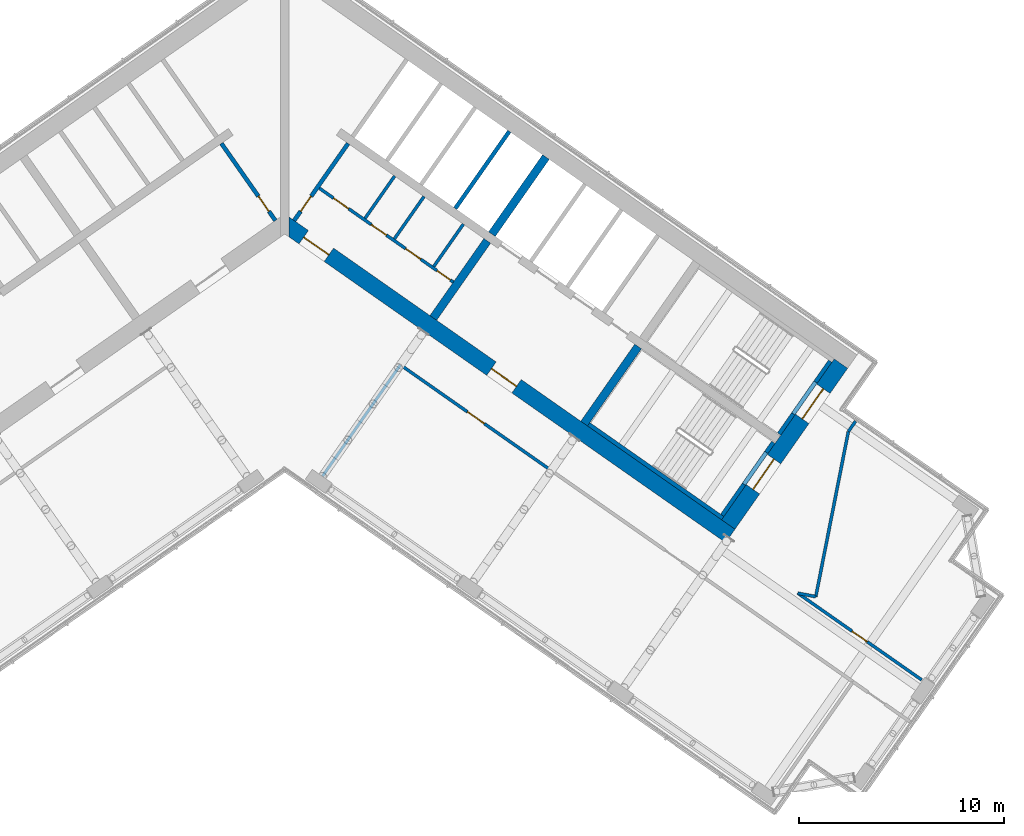
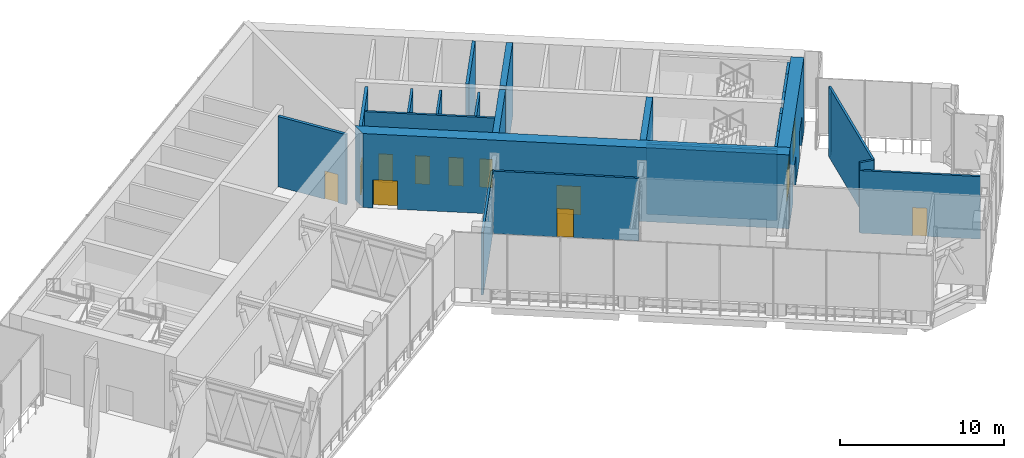
# One storey, part 5 of 19: 25 walls, 12 doors, 12 openings.
"""IFC4 building model written with IfcOpenShell, lengths in metres."""

from ifc_helpers import new_model, si_unit, direction, frame, frame_2d, origin, place, context, subcontext, project, spatial, polyline, rectangle, outline, extrude, material, layer, layer_set, type_object, element, fill, save


model = new_model("IFC4")

# Units and contexts
model_context = context("Model", 3, precision=1e-05, world=origin(), true_north=direction((0.0, 1.0)))
body_context = subcontext(model_context, "Body", "Model", "MODEL_VIEW")
ifc_project = project(units=[si_unit("LENGTHUNIT", "METRE"), si_unit("AREAUNIT", "SQUARE_METRE"), si_unit("VOLUMEUNIT", "CUBIC_METRE"), si_unit("PLANEANGLEUNIT", "RADIAN"), si_unit("MASSUNIT", "GRAM", prefix="KILO")], contexts=[model_context])

# Site, building, storey
site_placement = place(None, origin())
site = spatial("IfcSite", under=ifc_project, at=site_placement, CompositionType="ELEMENT")
building_placement = place(site_placement, origin())
building = spatial("IfcBuilding", under=site, at=building_placement, Name="Tel Ilan Convention Tower", CompositionType="ELEMENT")
storey_placement = place(building_placement, frame((0.0, 0.0, 213.89990234375)))
storey = spatial("IfcBuildingStorey", under=building, at=storey_placement, Name="L50", CompositionType="ELEMENT", Elevation=213.89990234375)

# Wall, openings, doors
ifc_material_1 = material(Name="Gypsum Plasterboard on Steel Stud", Category="steel")
ifc_layer_1 = layer(ifc_material_1, 0.14990234375)
ifc_layer_set_1 = layer_set([ifc_layer_1], Name="Core Room Partition Wall 150 mm EI 60")
wall_type_1 = type_object("IfcWallType", Name="Core Room Partition Wall 150 mm EI 60", PredefinedType="PARTITIONING", material=ifc_layer_set_1)
wall_1_placement = place(storey_placement, frame((1.687744140625, 1.015625, 0.0), z_axis=(0.0, 0.0, 1.0), x_axis=(0.819151624752, -0.573577035512, 0.0)))
wall_1 = element("IfcWall", 1, at=wall_1_placement, inside=storey, type_object=wall_type_1, Name="L50 core wall wc-h1", PredefinedType="PARTITIONING", context=body_context, shape_type="SweptSolid", body=[
    extrude(rectangle(XDim=8.0, YDim=0.14990234375, at=frame_2d((4.0, 0.0))), origin(), (0.0, 0.0, 1.0), 5.22021484375),
])
opening_1_placement = place(wall_1_placement, frame((0.85009765625, 0.0, 0.0)))
opening_1 = element("IfcOpeningElement", 2, at=opening_1_placement, cuts=wall_1, Name="Opening CD3913", PredefinedType="OPENING", context=body_context, shape_type="SweptSolid", body=[
    extrude(rectangle(XDim=0.89990234375, YDim=2.10009765625, at=frame_2d((0.449951171875, 1.050048828125))), frame((0.0, 0.0849609375, 0.0), z_axis=(0.0, -1.0, 0.0), x_axis=(1.0, 0.0, 0.0)), (0.0, 0.0, 1.0), 0.169921875),
])
opening_2_placement = place(wall_1_placement, frame((3.10009765625, 0.0, 0.0)))
opening_2 = element("IfcOpeningElement", 3, at=opening_2_placement, cuts=wall_1, Name="Opening CD3910", PredefinedType="OPENING", context=body_context, shape_type="SweptSolid", body=[
    extrude(rectangle(XDim=0.89990234375, YDim=2.10009765625, at=frame_2d((0.449951171875, 1.050048828125))), frame((0.0, 0.0849609375, 0.0), z_axis=(0.0, -1.0, 0.0), x_axis=(1.0, 0.0, 0.0)), (0.0, 0.0, 1.0), 0.169921875),
])
opening_3_placement = place(wall_1_placement, frame((5.14990234375, 0.0, 0.0)))
opening_3 = element("IfcOpeningElement", 4, at=opening_3_placement, cuts=wall_1, Name="Opening CD3912", PredefinedType="OPENING", context=body_context, shape_type="SweptSolid", body=[
    extrude(rectangle(XDim=0.89990234375, YDim=2.10009765625, at=frame_2d((0.449951171875, 1.050048828125))), frame((0.0, 0.0849609375, 0.0), z_axis=(0.0, -1.0, 0.0), x_axis=(1.0, 0.0, 0.0)), (0.0, 0.0, 1.0), 0.169921875),
])
opening_4_placement = place(wall_1_placement, frame((7.02490234375, 0.0, 0.0)))
opening_4 = element("IfcOpeningElement", 5, at=opening_4_placement, cuts=wall_1, Name="Opening CD3911", PredefinedType="OPENING", context=body_context, shape_type="SweptSolid", body=[
    extrude(rectangle(XDim=0.800048828125, YDim=2.10009765625, at=frame_2d((0.39990234375, 1.050048828125))), frame((0.0, 0.0849609375, 0.0), z_axis=(0.0, -1.0, 0.0), x_axis=(1.0, 0.0, 0.0)), (0.0, 0.0, 1.0), 0.169921875),
])
ifc_material_2 = material(Name="Galvanised Steel Door Leaf", Category="steel")
door_type_1 = type_object("IfcDoorType", Name="Store Door 800 x 2100 FD60", OperationType="NOTDEFINED", PredefinedType="DOOR", material=ifc_material_2)
door_1_placement = place(opening_4_placement, origin())
door_1 = element("IfcDoor", 6, at=door_1_placement, inside=storey, type_object=door_type_1, Name="Cleaner's store door", OperationType="SINGLE_SWING_RIGHT", OverallHeight=2.10009765625, OverallWidth=0.800048828125, PredefinedType="DOOR", context=body_context, shape_type="SweptSolid", body=[
    extrude(rectangle(XDim=0.800048828125, YDim=2.10009765625, at=frame_2d((0.39990234375, 1.050048828125))), frame((0.0, 0.02490234375, 0.0), z_axis=(0.0, -1.0, 0.0), x_axis=(1.0, 0.0, 0.0)), (0.0, 0.0, 1.0), 0.050048828125),
])
fill(opening_4, door_1)
ifc_material_3 = material(Name="Laminated Timber Door Leaf", Category="wood")
door_type_2 = type_object("IfcDoorType", Name="Toilet Door 900 x 2100 FD30S", OperationType="NOTDEFINED", PredefinedType="DOOR", material=ifc_material_3)
door_2_placement = place(opening_1_placement, origin())
door_2 = element("IfcDoor", 7, at=door_2_placement, inside=storey, type_object=door_type_2, Name="Women's WC door", OperationType="SINGLE_SWING_RIGHT", OverallHeight=2.10009765625, OverallWidth=0.89990234375, PredefinedType="DOOR", context=body_context, shape_type="SweptSolid", body=[
    extrude(rectangle(XDim=0.89990234375, YDim=2.10009765625, at=frame_2d((0.449951171875, 1.050048828125))), frame((0.0, 0.02490234375, 0.0), z_axis=(0.0, -1.0, 0.0), x_axis=(1.0, 0.0, 0.0)), (0.0, 0.0, 1.0), 0.050048828125),
])
fill(opening_1, door_2)
door_3_placement = place(opening_2_placement, origin())
door_3 = element("IfcDoor", 8, at=door_3_placement, inside=storey, type_object=door_type_2, Name="Accessible WC door", OperationType="SINGLE_SWING_RIGHT", OverallHeight=2.10009765625, OverallWidth=0.89990234375, PredefinedType="DOOR", context=body_context, shape_type="SweptSolid", body=[
    extrude(rectangle(XDim=0.89990234375, YDim=2.10009765625, at=frame_2d((0.449951171875, 1.050048828125))), frame((0.0, 0.02490234375, 0.0), z_axis=(0.0, -1.0, 0.0), x_axis=(1.0, 0.0, 0.0)), (0.0, 0.0, 1.0), 0.050048828125),
])
fill(opening_2, door_3)
door_4_placement = place(opening_3_placement, origin())
door_4 = element("IfcDoor", 9, at=door_4_placement, inside=storey, type_object=door_type_2, Name="Men's WC door", OperationType="SINGLE_SWING_RIGHT", OverallHeight=2.10009765625, OverallWidth=0.89990234375, PredefinedType="DOOR", context=body_context, shape_type="SweptSolid", body=[
    extrude(rectangle(XDim=0.89990234375, YDim=2.10009765625, at=frame_2d((0.449951171875, 1.050048828125))), frame((0.0, 0.02490234375, 0.0), z_axis=(0.0, -1.0, 0.0), x_axis=(1.0, 0.0, 0.0)), (0.0, 0.0, 1.0), 0.050048828125),
])
fill(opening_3, door_4)

# Walls
for number, where, z_axis, x_axis, name in (
    (10, (3.922119140625, -0.457275390625, 0.0), (0.0, 0.0, 1.0), (0.573566168143, 0.81915923407, 0.0), "L50 core wall wc-v0"),
    (11, (5.35546875, -1.4609375, 0.0), (0.0, 0.0, 1.0), (0.573566168143, 0.81915923407, 0.0), "L50 core wall wc-v1"),
    (12, (7.280517578125, -2.808837890625, 0.0), (0.0, 0.0, 1.0), (0.573566168143, 0.81915923407, 0.0), "L50 core wall wc-v2"),
):
    element("IfcWall", number, at=place(storey_placement, frame(where, z_axis=z_axis, x_axis=x_axis)), inside=storey, type_object=wall_type_1, Name=name, PredefinedType="PARTITIONING", context=body_context, shape_type="SweptSolid", body=[
        extrude(rectangle(XDim=2.52490234375, YDim=0.14990234375, at=frame_2d((1.262451171875, 0.0))), origin(), (0.0, 0.0, 1.0), 5.22021484375),
    ])

# Wall, opening, door
ifc_material_4 = material(Name="Concrete C30/37", Category="concrete")
ifc_layer_2 = layer(ifc_material_4, 0.199951171875)
ifc_layer_set_2 = layer_set([ifc_layer_2], Name="Core Service Room Wall 200 mm C30/37")
wall_type_2 = type_object("IfcWallType", Name="Core Service Room Wall 200 mm C30/37", PredefinedType="SOLIDWALL", material=ifc_layer_set_2)
wall_2_placement = place(storey_placement, frame((-0.458740234375, -0.565185546875, 0.0), z_axis=(0.0, 0.0, 1.0), x_axis=(-0.573576324356, 0.819152122709, 0.0)))
wall_2 = element("IfcWall", 13, at=wall_2_placement, inside=storey, type_object=wall_type_2, Name="L50 core wall apex-W", PredefinedType="SOLIDWALL", context=body_context, shape_type="SweptSolid", body=[
    extrude(rectangle(XDim=4.599853515625, YDim=0.199951171875, at=frame_2d((2.2998046875, 0.0))), origin(), (0.0, 0.0, 1.0), 5.22021484375),
])
opening_5_placement = place(wall_2_placement, frame((0.550048828125, 0.0, 0.0)))
opening_5 = element("IfcOpeningElement", 14, at=opening_5_placement, cuts=wall_2, Name="Opening CD3902", PredefinedType="OPENING", context=body_context, shape_type="SweptSolid", body=[
    extrude(rectangle(XDim=0.89990234375, YDim=2.10009765625, at=frame_2d((0.449951171875, 1.050048828125))), frame((0.0, 0.10986328125, 0.0), z_axis=(0.0, -1.0, 0.0), x_axis=(1.0, 0.0, 0.0)), (0.0, 0.0, 1.0), 0.219970703125),
])
ifc_material_5 = material(Name="Galvanised Steel Door Leaf", Category="steel")
door_type_3 = type_object("IfcDoorType", Name="Service Room Door 900 x 2100 FD60", OperationType="NOTDEFINED", PredefinedType="DOOR", material=ifc_material_5)
door_5_placement = place(opening_5_placement, origin())
door_5 = element("IfcDoor", 15, at=door_5_placement, inside=storey, type_object=door_type_3, Name="Telecom Room door", OperationType="SINGLE_SWING_RIGHT", OverallHeight=2.10009765625, OverallWidth=0.89990234375, PredefinedType="DOOR", context=body_context, shape_type="SweptSolid", body=[
    extrude(rectangle(XDim=0.89990234375, YDim=2.10009765625, at=frame_2d((0.449951171875, 1.050048828125))), frame((0.0, 0.02490234375, 0.0), z_axis=(0.0, -1.0, 0.0), x_axis=(1.0, 0.0, 0.0)), (0.0, 0.0, 1.0), 0.050048828125),
])
fill(opening_5, door_5)

wall_3_placement = place(storey_placement, frame((0.458740234375, -0.565185546875, 0.0), z_axis=(0.0, 0.0, 1.0), x_axis=(0.573576324356, 0.819152122709, 0.0)))
wall_3 = element("IfcWall", 16, at=wall_3_placement, inside=storey, type_object=wall_type_2, Name="L50 core wall apex-E", PredefinedType="SOLIDWALL", context=body_context, shape_type="SweptSolid", body=[
    extrude(rectangle(XDim=4.599853515625, YDim=0.199951171875, at=frame_2d((2.2998046875, 0.0))), origin(), (0.0, 0.0, 1.0), 5.22021484375),
])
opening_6_placement = place(wall_3_placement, frame((0.550048828125, 0.0, 0.0)))
opening_6 = element("IfcOpeningElement", 17, at=opening_6_placement, cuts=wall_3, Name="Opening CD3901", PredefinedType="OPENING", context=body_context, shape_type="SweptSolid", body=[
    extrude(rectangle(XDim=0.89990234375, YDim=2.10009765625, at=frame_2d((0.449951171875, 1.050048828125))), frame((0.0, 0.10986328125, 0.0), z_axis=(0.0, -1.0, 0.0), x_axis=(1.0, 0.0, 0.0)), (0.0, 0.0, 1.0), 0.219970703125),
])
door_6_placement = place(opening_6_placement, origin())
door_6 = element("IfcDoor", 18, at=door_6_placement, inside=storey, type_object=door_type_3, Name="Data Room door", OperationType="SINGLE_SWING_RIGHT", OverallHeight=2.10009765625, OverallWidth=0.89990234375, PredefinedType="DOOR", context=body_context, shape_type="SweptSolid", body=[
    extrude(rectangle(XDim=0.89990234375, YDim=2.10009765625, at=frame_2d((0.449951171875, 1.050048828125))), frame((0.0, 0.02490234375, 0.0), z_axis=(0.0, -1.0, 0.0), x_axis=(1.0, 0.0, 0.0)), (0.0, 0.0, 1.0), 0.050048828125),
])
fill(opening_6, door_6)

# Walls
ifc_material_6 = material(Name="Concrete C50/60", Category="concrete")
ifc_layer_3 = layer(ifc_material_6, 0.39990234375)
ifc_layer_set_3 = layer_set([ifc_layer_3], Name="Core Shear Wall 400 mm C50/60")
wall_type_3 = type_object("IfcWallType", Name="Core Shear Wall 400 mm C50/60", PredefinedType="SHEAR", material=ifc_layer_set_3)
wall_4_placement = place(storey_placement, frame((7.2578125, -5.325927734375, 0.0), z_axis=(0.0, 0.0, 1.0), x_axis=(0.573540709186, 0.819177059558, 0.0)))
element("IfcWall", 19, at=wall_4_placement, inside=storey, type_object=wall_type_3, Name="L50 core wall E-cross1-1", PredefinedType="SHEAR", context=body_context, shape_type="SweptSolid", body=[
    extrude(outline(polyline([(-0.000244140625, 0.2001953125), (-0.000244140625, -0.199951171875), (4.599853515625, -0.2001953125), (4.599853515625, 0.199951171875), (-0.000244140625, 0.2001953125)])), origin(), (0.0, 0.0, 1.0), 5.5),
])
wall_5_placement = place(storey_placement, frame((10.12548828125, -1.230224609375, 0.0), z_axis=(0.0, 0.0, 1.0), x_axis=(0.573576324356, 0.819152122709, 0.0)))
element("IfcWall", 20, at=wall_5_placement, inside=storey, type_object=wall_type_3, Name="L50 core wall E-cross1-2", PredefinedType="SHEAR", context=body_context, shape_type="SweptSolid", body=[
    extrude(outline(polyline([(4.599853515625, -0.199951171875), (4.60009765625, 0.199951171875), (0.0, 0.199951171875), (0.0, -0.2001953125), (4.599853515625, -0.199951171875)])), origin(), (0.0, 0.0, 1.0), 5.5),
])
wall_6_placement = place(storey_placement, frame((14.6298828125, -10.48828125, 0.0), z_axis=(0.0, 0.0, 1.0), x_axis=(0.573611936273, 0.819127185829, 0.0)))
element("IfcWall", 21, at=wall_6_placement, inside=storey, type_object=wall_type_3, Name="L50 core wall E-cross2-1", PredefinedType="SHEAR", context=body_context, shape_type="SweptSolid", body=[
    extrude(outline(polyline([(0.000244140625, 0.199951171875), (0.000244140625, -0.2001953125), (4.60009765625, -0.199951171875), (4.60009765625, 0.2001953125), (0.000244140625, 0.199951171875)])), origin(), (0.0, 0.0, 1.0), 5.5),
])

# Wall, openings, doors
ifc_material_7 = material(Name="Concrete C50/60", Category="concrete")
ifc_layer_4 = layer(ifc_material_7, 0.800048828125)
ifc_layer_set_4 = layer_set([ifc_layer_4], Name="Core Shear Wall 800 mm C50/60")
wall_type_4 = type_object("IfcWallType", Name="Core Shear Wall 800 mm C50/60", PredefinedType="SHEAR", material=ifc_layer_set_4)
wall_7_placement = place(storey_placement, frame((-0.029296875, -0.7119140625, 0.0), z_axis=(0.0, 0.0, 1.0), x_axis=(0.819151758019, -0.573576845187, 0.0)))
wall_7 = element("IfcWall", 22, at=wall_7_placement, inside=storey, type_object=wall_type_4, Name="L50 core wall E-front", PredefinedType="SHEAR", context=body_context, shape_type="SweptSolid", body=[
    extrude(outline(polyline([(26.61572265625, 0.39990234375), (-0.000244140625, 0.39990234375), (0.56005859375, -0.39990234375), (26.61572265625, -0.39990234375), (26.61572265625, 0.39990234375)])), origin(), (0.0, 0.0, 1.0), 5.5),
])
opening_7_placement = place(wall_7_placement, frame((1.165771484375, 0.0, 0.0)))
opening_7 = element("IfcOpeningElement", 23, at=opening_7_placement, cuts=wall_7, Name="Opening CD3903", PredefinedType="OPENING", context=body_context, shape_type="SweptSolid", body=[
    extrude(rectangle(XDim=1.5, YDim=2.10009765625, at=frame_2d((0.75, 1.050048828125))), frame((0.0, 0.409912109375, 0.0), z_axis=(0.0, -1.0, 0.0), x_axis=(1.0, 0.0, 0.0)), (0.0, 0.0, 1.0), 0.820068359375),
])
opening_8_placement = place(wall_7_placement, frame((12.36572265625, 0.0, 0.0)))
opening_8 = element("IfcOpeningElement", 24, at=opening_8_placement, cuts=wall_7, Name="Opening CD3904", PredefinedType="OPENING", context=body_context, shape_type="SweptSolid", body=[
    extrude(rectangle(XDim=1.5, YDim=2.10009765625, at=frame_2d((0.75, 1.050048828125))), frame((0.0, 0.409912109375, 0.0), z_axis=(0.0, -1.0, 0.0), x_axis=(1.0, 0.0, 0.0)), (0.0, 0.0, 1.0), 0.820068359375),
])
ifc_material_8 = material(Name="Glazed Aluminium Door Leaf", Category="aluminium")
door_type_4 = type_object("IfcDoorType", Name="Lobby Opening Door 1500 x 2100 FD60S", OperationType="NOTDEFINED", PredefinedType="DOOR", material=ifc_material_8)
door_7_placement = place(opening_8_placement, origin())
door_7 = element("IfcDoor", 25, at=door_7_placement, inside=storey, type_object=door_type_4, Name="Firefighting Lobby door", OperationType="DOUBLE_DOOR_SINGLE_SWING", OverallHeight=2.10009765625, OverallWidth=1.5, PredefinedType="DOOR", context=body_context, shape_type="SweptSolid", body=[
    extrude(rectangle(XDim=1.5, YDim=2.10009765625, at=frame_2d((0.75, 1.050048828125))), frame((0.0, 0.02490234375, 0.0), z_axis=(0.0, -1.0, 0.0), x_axis=(1.0, 0.0, 0.0)), (0.0, 0.0, 1.0), 0.050048828125),
])
fill(opening_8, door_7)
ifc_material_9 = material(Name="Laminated Timber Door Leaf", Category="wood")
door_type_5 = type_object("IfcDoorType", Name="Toilet Door 1500 x 2100 FD30S", OperationType="NOTDEFINED", PredefinedType="DOOR", material=ifc_material_9)
door_8_placement = place(opening_7_placement, origin())
door_8 = element("IfcDoor", 26, at=door_8_placement, inside=storey, type_object=door_type_5, Name="WC Lobby door", OperationType="SINGLE_SWING_RIGHT", OverallHeight=2.10009765625, OverallWidth=1.5, PredefinedType="DOOR", context=body_context, shape_type="SweptSolid", body=[
    extrude(rectangle(XDim=1.5, YDim=2.10009765625, at=frame_2d((0.75, 1.050048828125))), frame((0.0, 0.02490234375, 0.0), z_axis=(0.0, -1.0, 0.0), x_axis=(1.0, 0.0, 0.0)), (0.0, 0.0, 1.0), 0.050048828125),
])
fill(opening_7, door_8)

wall_8_placement = place(storey_placement, frame((21.6748046875, -15.4208984375, 0.0), z_axis=(0.0, 0.0, 1.0), x_axis=(0.573581815061, 0.819148278049, 0.0)))
wall_8 = element("IfcWall", 27, at=wall_8_placement, inside=storey, type_object=wall_type_4, Name="L50 core wall E-end", PredefinedType="SHEAR", context=body_context, shape_type="SweptSolid", body=[
    extrude(outline(polyline([(9.599853515625, 0.400146484375), (0.0, 0.39990234375), (0.0, -0.39990234375), (9.599853515625, -0.39990234375), (9.599853515625, 0.400146484375)])), origin(), (0.0, 0.0, 1.0), 5.5),
])
opening_9_placement = place(wall_8_placement, frame((6.300048828125, 0.0, 0.0)))
opening_9 = element("IfcOpeningElement", 28, at=opening_9_placement, cuts=wall_8, Name="Opening SD3903", PredefinedType="OPENING", context=body_context, shape_type="SweptSolid", body=[
    extrude(rectangle(XDim=1.800048828125, YDim=2.10009765625, at=frame_2d((0.89990234375, 1.050048828125))), frame((0.0, 0.409912109375, 0.0), z_axis=(0.0, -1.0, 0.0), x_axis=(1.0, 0.0, 0.0)), (0.0, 0.0, 1.0), 0.820068359375),
])
opening_10_placement = place(wall_8_placement, frame((2.10009765625, 0.0, 0.0)))
opening_10 = element("IfcOpeningElement", 29, at=opening_10_placement, cuts=wall_8, Name="Opening SD3904", PredefinedType="OPENING", context=body_context, shape_type="SweptSolid", body=[
    extrude(rectangle(XDim=1.800048828125, YDim=2.10009765625, at=frame_2d((0.89990234375, 1.050048828125))), frame((0.0, 0.409912109375, 0.0), z_axis=(0.0, -1.0, 0.0), x_axis=(1.0, 0.0, 0.0)), (0.0, 0.0, 1.0), 0.820068359375),
])
ifc_material_10 = material(Name="Galvanised Steel Door Leaf", Category="steel")
door_type_6 = type_object("IfcDoorType", Name="Stair Fire Door 1800 x 2100 FD60S", OperationType="NOTDEFINED", PredefinedType="DOOR", material=ifc_material_10)
door_9_placement = place(opening_9_placement, origin())
door_9 = element("IfcDoor", 30, at=door_9_placement, inside=storey, type_object=door_type_6, Name="Stair S3 door", OperationType="DOUBLE_DOOR_SINGLE_SWING", OverallHeight=2.10009765625, OverallWidth=1.800048828125, PredefinedType="DOOR", context=body_context, shape_type="SweptSolid", body=[
    extrude(rectangle(XDim=1.800048828125, YDim=2.10009765625, at=frame_2d((0.89990234375, 1.050048828125))), frame((0.0, 0.02490234375, 0.0), z_axis=(0.0, -1.0, 0.0), x_axis=(1.0, 0.0, 0.0)), (0.0, 0.0, 1.0), 0.050048828125),
])
fill(opening_9, door_9)
door_10_placement = place(opening_10_placement, origin())
door_10 = element("IfcDoor", 31, at=door_10_placement, inside=storey, type_object=door_type_6, Name="Stair S4 door", OperationType="DOUBLE_DOOR_SINGLE_SWING", OverallHeight=2.10009765625, OverallWidth=1.800048828125, PredefinedType="DOOR", context=body_context, shape_type="SweptSolid", body=[
    extrude(rectangle(XDim=1.800048828125, YDim=2.10009765625, at=frame_2d((0.89990234375, 1.050048828125))), frame((0.0, 0.02490234375, 0.0), z_axis=(0.0, -1.0, 0.0), x_axis=(1.0, 0.0, 0.0)), (0.0, 0.0, 1.0), 0.050048828125),
])
fill(opening_10, door_10)

# Wall, opening, door
ifc_material_11 = material(Name="Plasterboard on Steel Studs", Category="steel")
ifc_layer_5 = layer(ifc_material_11, 0.14990234375)
ifc_layer_set_5 = layer_set([ifc_layer_5], Name="Fire-rated Partition 150 EI 60")
wall_type_5 = type_object("IfcWallType", Name="Fire-rated Partition 150 EI 60", PredefinedType="PARTITIONING", material=ifc_layer_set_5)
wall_9_placement = place(storey_placement, frame((25.0673828125, -18.773193359375, 0.0), z_axis=(0.0, 0.0, 1.0), x_axis=(0.819155947171, -0.573570862417, 0.0)))
wall_9 = element("IfcWall", 32, at=wall_9_placement, inside=storey, type_object=wall_type_5, Name="Partition 001", PredefinedType="PARTITIONING", context=body_context, shape_type="SweptSolid", body=[
    extrude(rectangle(XDim=7.398193359375, YDim=0.14990234375, at=frame_2d((3.69921875, 0.0))), origin(), (0.0, 0.0, 1.0), 4.650146484375),
])
opening_11_placement = place(wall_9_placement, frame((3.249267578125, 0.0, 0.0)))
opening_11 = element("IfcOpeningElement", 33, at=opening_11_placement, cuts=wall_9, Name="Opening L50-007", PredefinedType="OPENING", context=body_context, shape_type="SweptSolid", body=[
    extrude(rectangle(XDim=0.89990234375, YDim=2.10009765625, at=frame_2d((0.449951171875, 1.050048828125))), frame((0.0, 0.0849609375, 0.0), z_axis=(0.0, -1.0, 0.0), x_axis=(1.0, 0.0, 0.0)), (0.0, 0.0, 1.0), 0.169921875),
])
ifc_material_12 = material(Name="Timber Door Leaf in Steel Frame", Category="steel")
door_type_7 = type_object("IfcDoorType", Name="Room Fire Door 900x2100", OperationType="NOTDEFINED", PredefinedType="DOOR", material=ifc_material_12)
door_11_placement = place(opening_11_placement, origin())
door_11 = element("IfcDoor", 34, at=door_11_placement, inside=storey, type_object=door_type_7, Name="Door L50-007", OperationType="SINGLE_SWING_RIGHT", OverallHeight=2.10009765625, OverallWidth=0.89990234375, PredefinedType="DOOR", context=body_context, shape_type="SweptSolid", body=[
    extrude(rectangle(XDim=0.89990234375, YDim=2.10009765625, at=frame_2d((0.449951171875, 1.050048828125))), frame((0.0, 0.02490234375, 0.0), z_axis=(0.0, -1.0, 0.0), x_axis=(1.0, 0.0, 0.0)), (0.0, 0.0, 1.0), 0.050048828125),
])
fill(opening_11, door_11)

wall_10_placement = place(storey_placement, frame((13.025634765625, -12.782958984375, 0.0), z_axis=(0.0, 0.0, 1.0), x_axis=(-0.81915291695, 0.57357519006, 0.0)))
wall_10 = element("IfcWall", 35, at=wall_10_placement, inside=storey, type_object=wall_type_5, Name="Partition 002", PredefinedType="PARTITIONING", context=body_context, shape_type="SweptSolid", body=[
    extrude(rectangle(XDim=9.001953125, YDim=0.14990234375, at=frame_2d((4.5009765625, 0.0))), origin(), (0.0, 0.0, 1.0), 4.650146484375),
])
opening_12_placement = place(wall_10_placement, frame((4.0009765625, 0.0, 0.0)))
opening_12 = element("IfcOpeningElement", 36, at=opening_12_placement, cuts=wall_10, Name="Opening L50-004", PredefinedType="OPENING", context=body_context, shape_type="SweptSolid", body=[
    extrude(rectangle(XDim=1.0, YDim=2.10009765625, at=frame_2d((0.5, 1.050048828125))), frame((0.0, 0.0849609375, 0.0), z_axis=(0.0, -1.0, 0.0), x_axis=(1.0, 0.0, 0.0)), (0.0, 0.0, 1.0), 0.169921875),
])
ifc_material_13 = material(Name="Timber Door Leaf in Steel Frame", Category="steel")
door_type_8 = type_object("IfcDoorType", Name="Plant Room Fire Door 1000x2100", OperationType="NOTDEFINED", PredefinedType="DOOR", material=ifc_material_13)
door_12_placement = place(opening_12_placement, origin())
door_12 = element("IfcDoor", 37, at=door_12_placement, inside=storey, type_object=door_type_8, Name="Door L50-004", OperationType="SINGLE_SWING_LEFT", OverallHeight=2.10009765625, OverallWidth=1.0, PredefinedType="DOOR", context=body_context, shape_type="SweptSolid", body=[
    extrude(rectangle(XDim=1.0, YDim=2.10009765625, at=frame_2d((0.5, 1.050048828125))), frame((0.0, 0.02490234375, 0.0), z_axis=(0.0, -1.0, 0.0), x_axis=(1.0, 0.0, 0.0)), (0.0, 0.0, 1.0), 0.050048828125),
])
fill(opening_12, door_12)

# Walls
wall_11_placement = place(storey_placement, frame((25.06884765625, -18.774169921875, 0.0), z_axis=(0.0, 0.0, 1.0), x_axis=(0.98111942846, -0.193402862176, 0.0)))
element("IfcWall", 38, at=wall_11_placement, inside=storey, type_object=wall_type_5, Name="Partition 008", PredefinedType="PARTITIONING", context=body_context, shape_type="SweptSolid", body=[
    extrude(rectangle(XDim=0.900146484375, YDim=0.14990234375, at=frame_2d((0.4501953125, 0.0))), origin(), (0.0, 0.0, 1.0), 5.22021484375),
])
wall_12_placement = place(storey_placement, frame((25.951904296875, -18.9482421875, 0.0), z_axis=(0.0, 0.0, 1.0), x_axis=(0.193416593328, 0.981116721611, 0.0)))
element("IfcWall", 39, at=wall_12_placement, inside=storey, type_object=wall_type_5, Name="Partition 009", PredefinedType="PARTITIONING", context=body_context, shape_type="SweptSolid", body=[
    extrude(rectangle(XDim=8.228515625, YDim=0.14990234375, at=frame_2d((4.1142578125, 0.0))), origin(), (0.0, 0.0, 1.0), 5.22021484375),
])
wall_13_placement = place(storey_placement, frame((27.54345703125, -10.875, 0.0), z_axis=(0.0, 0.0, 1.0), x_axis=(0.573489203237, 0.819213118651, 0.0)))
element("IfcWall", 40, at=wall_13_placement, inside=storey, type_object=wall_type_5, Name="Partition 010", PredefinedType="PARTITIONING", context=body_context, shape_type="SweptSolid", body=[
    extrude(rectangle(XDim=0.610107421875, YDim=0.14990234375, at=frame_2d((0.30517578125, 0.0))), origin(), (0.0, 0.0, 1.0), 4.650146484375),
])
wall_14_placement = place(storey_placement, frame((1.848876953125, -13.050537109375, 0.0), z_axis=(0.0, 0.0, 1.0), x_axis=(0.57357355307, 0.819154063177, 0.0)))
element("IfcWall", 41, at=wall_14_placement, inside=storey, type_object=wall_type_5, Name="Partition 012", PredefinedType="PARTITIONING", context=body_context, shape_type="SweptSolid", body=[
    extrude(rectangle(XDim=6.6298828125, YDim=0.14990234375, at=frame_2d((3.31494140625, 0.0))), origin(), (0.0, 0.0, 1.0), 4.650146484375),
])
ifc_material_14 = material(Name="Concrete C30/37", Category="concrete")
ifc_layer_6 = layer(ifc_material_14, 0.199951171875)
ifc_layer_set_6 = layer_set([ifc_layer_6], Name="Lift Shaft Wall 200 mm C30/37")
wall_type_6 = type_object("IfcWallType", Name="Lift Shaft Wall 200 mm C30/37", PredefinedType="SOLIDWALL", material=ifc_layer_set_6)
wall_15_placement = place(storey_placement, frame((8.33349609375, 0.0244140625, 0.0), z_axis=(0.0, 0.0, 1.0), x_axis=(0.573611936273, 0.819127185829, 0.0)))
element("IfcWall", 42, at=wall_15_placement, inside=storey, type_object=wall_type_6, Name="L50 core wall bank-E1-p2", PredefinedType="SOLIDWALL", context=body_context, shape_type="SweptSolid", body=[
    extrude(rectangle(XDim=4.60009765625, YDim=0.199951171875, at=frame_2d((2.300048828125, 0.0))), origin(), (0.0, 0.0, 1.0), 5.5),
])
ifc_material_15 = material(Name="Concrete C30/37", Category="concrete")
ifc_layer_7 = layer(ifc_material_15, 0.199951171875)
ifc_layer_set_7 = layer_set([ifc_layer_7], Name="Stair and Shaft Lining Wall 200 mm C30/37")
wall_type_7 = type_object("IfcWallType", Name="Stair and Shaft Lining Wall 200 mm C30/37", PredefinedType="SOLIDWALL", material=ifc_layer_set_7)
wall_16_placement = place(storey_placement, frame((24.16162109375, -10.99755859375, 0.0), z_axis=(0.0, 0.0, 1.0), x_axis=(0.573612502218, 0.819126789514, 0.0)))
element("IfcWall", 43, at=wall_16_placement, inside=storey, type_object=wall_type_7, Name="L50 core wall lining-S3-u1-0", PredefinedType="SOLIDWALL", context=body_context, shape_type="SweptSolid", body=[
    extrude(rectangle(XDim=1.2001953125, YDim=0.199951171875, at=frame_2d((0.60009765625, 0.0))), origin(), (0.0, 0.0, 1.0), 5.22021484375),
])
wall_17_placement = place(storey_placement, frame((25.939697265625, -8.4580078125, 0.0), z_axis=(0.0, 0.0, 1.0), x_axis=(0.573619628835, 0.819121798889, 0.0)))
element("IfcWall", 44, at=wall_17_placement, inside=storey, type_object=wall_type_7, Name="L50 core wall lining-S3-u1-1", PredefinedType="SOLIDWALL", context=body_context, shape_type="SweptSolid", body=[
    extrude(rectangle(XDim=1.25, YDim=0.199951171875, at=frame_2d((0.625, 0.0))), origin(), (0.0, 0.0, 1.0), 5.22021484375),
])
wall_18_placement = place(storey_placement, frame((24.85009765625, -10.014404296875, 2.150146484375), z_axis=(0.0, 0.0, 1.0), x_axis=(0.573505465124, 0.819201734296, 0.0)))
element("IfcWall", 45, at=wall_18_placement, inside=storey, type_object=wall_type_7, Name="L50 core wall lining-S3-u1-lintel", PredefinedType="SOLIDWALL", context=body_context, shape_type="SweptSolid", body=[
    extrude(rectangle(XDim=1.89990234375, YDim=0.199951171875, at=frame_2d((0.949951171875, 0.0))), origin(), (0.0, 0.0, 1.0), 3.070068359375),
])
wall_19_placement = place(storey_placement, frame((14.851318359375, -10.52099609375, 0.0), z_axis=(0.0, 0.0, 1.0), x_axis=(0.819141584393, -0.57359137434, 0.0)))
element("IfcWall", 46, at=wall_19_placement, inside=storey, type_object=wall_type_7, Name="L50 core wall lining-S4-t0", PredefinedType="SOLIDWALL", context=body_context, shape_type="SweptSolid", body=[
    extrude(rectangle(XDim=7.999755859375, YDim=0.199951171875, at=frame_2d((4.0, 0.0))), origin(), (0.0, 0.0, 1.0), 5.22021484375),
])
wall_20_placement = place(storey_placement, frame((21.3798828125, -14.97021484375, 0.0), z_axis=(0.0, 0.0, 1.0), x_axis=(0.573559770908, 0.819163713305, 0.0)))
element("IfcWall", 47, at=wall_20_placement, inside=storey, type_object=wall_type_7, Name="L50 core wall lining-S4-u1-0", PredefinedType="SOLIDWALL", context=body_context, shape_type="SweptSolid", body=[
    extrude(rectangle(XDim=1.849853515625, YDim=0.199951171875, at=frame_2d((0.9248046875, 0.0))), origin(), (0.0, 0.0, 1.0), 5.22021484375),
])
wall_21_placement = place(storey_placement, frame((23.53076171875, -11.8984375, 0.0), z_axis=(0.0, 0.0, 1.0), x_axis=(0.573708088123, 0.819059844958, 0.0)))
element("IfcWall", 48, at=wall_21_placement, inside=storey, type_object=wall_type_7, Name="L50 core wall lining-S4-u1-1", PredefinedType="SOLIDWALL", context=body_context, shape_type="SweptSolid", body=[
    extrude(rectangle(XDim=0.60009765625, YDim=0.199951171875, at=frame_2d((0.300048828125, 0.0))), origin(), (0.0, 0.0, 1.0), 5.22021484375),
])
wall_22_placement = place(storey_placement, frame((22.44091796875, -13.454833984375, 2.150146484375), z_axis=(0.0, 0.0, 1.0), x_axis=(0.573591692345, 0.819141361715, 0.0)))
element("IfcWall", 49, at=wall_22_placement, inside=storey, type_object=wall_type_7, Name="L50 core wall lining-S4-u1-lintel", PredefinedType="SOLIDWALL", context=body_context, shape_type="SweptSolid", body=[
    extrude(rectangle(XDim=1.900146484375, YDim=0.199951171875, at=frame_2d((0.9501953125, 0.0))), origin(), (0.0, 0.0, 1.0), 3.070068359375),
])

save(model, "model.ifc")
